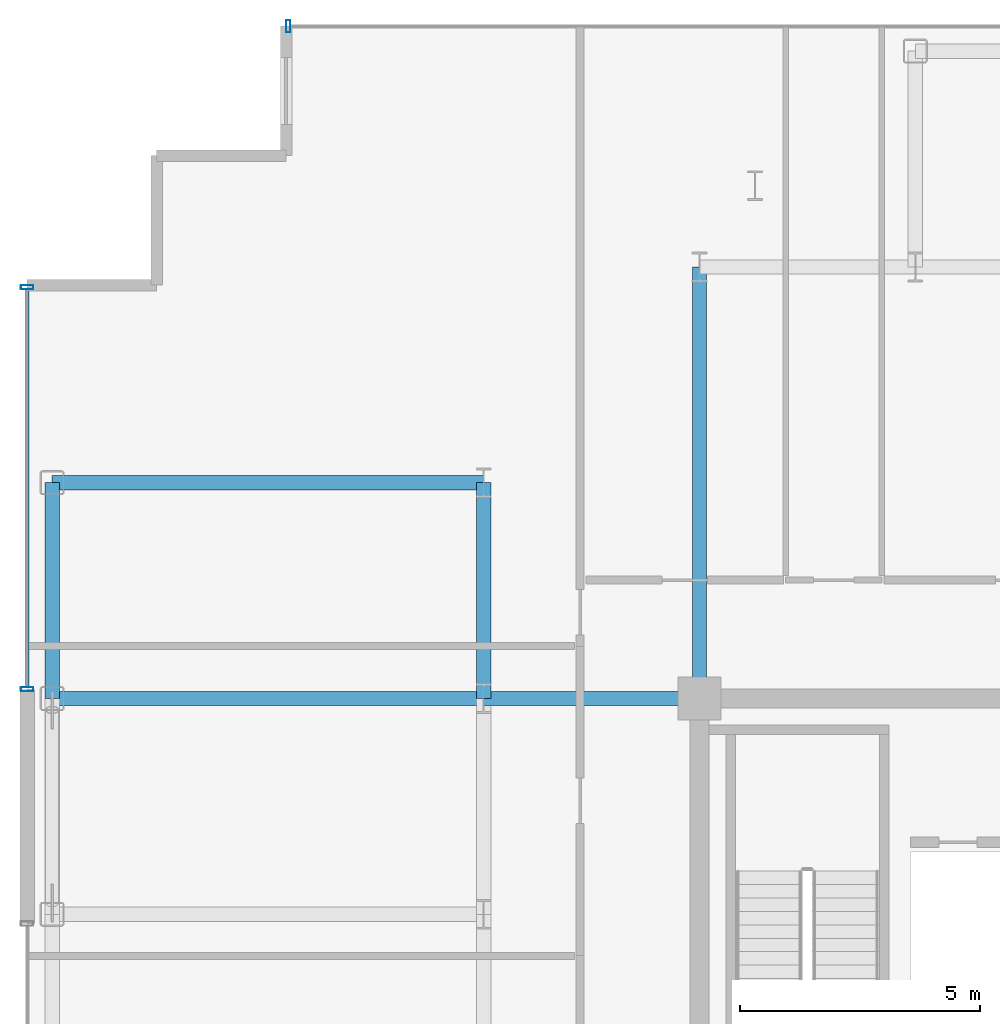
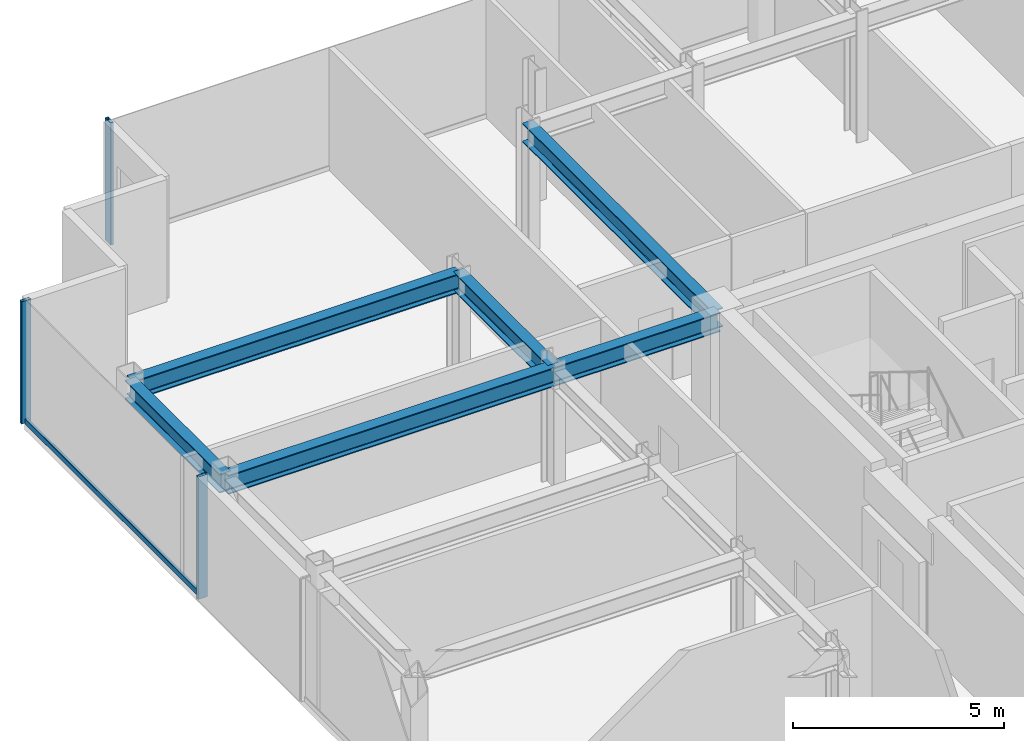
# One storey, part 7 of 16: 6 beams, 4 members, 2 elements without a shape of their own.
"""IFC4 building model written with IfcOpenShell, lengths in metres."""

from ifc_helpers import new_model, si_unit, direction, frame, origin, origin_2d, place, context, subcontext, project, spatial, hollow_rectangle, i_section, extrude, source, transform, mapped, material, layer, layer_set, material_profile, profile_set, type_object, element, aggregate, save


model = new_model("IFC4")

# Units and contexts
model_context = context("Model", 3, precision=1e-05, world=origin(), true_north=direction((0.0, 1.0)))
body_context = subcontext(model_context, "Body", "Model", "MODEL_VIEW")
ifc_project = project(units=[si_unit("LENGTHUNIT", "METRE"), si_unit("AREAUNIT", "SQUARE_METRE"), si_unit("VOLUMEUNIT", "CUBIC_METRE"), si_unit("PLANEANGLEUNIT", "RADIAN"), si_unit("MASSUNIT", "GRAM", prefix="KILO")], contexts=[model_context])

# Site, building, storey
site_placement = place(None, origin())
site = spatial("IfcSite", under=ifc_project, at=site_placement, CompositionType="ELEMENT")
building_placement = place(site_placement, origin())
building = spatial("IfcBuilding", under=site, at=building_placement, Name="Nefas-Gora Pilgrimage Tower", CompositionType="ELEMENT")
storey_placement = place(building_placement, frame((0.0, 0.0, 333.800048828125)))
storey = spatial("IfcBuildingStorey", under=building, at=storey_placement, Name="L84", CompositionType="ELEMENT", Elevation=333.800048828125)

# Beams
ifc_material_1 = material(Name="Steel S355", Category="steel")
ifc_material_profile_1 = material_profile(ifc_material_1, i_section(OverallWidth=0.300048828125, OverallDepth=0.550048828125, WebThickness=0.014892578125, FlangeThickness=0.029052734375, FilletRadius=0.027099609375, at=origin_2d()), Name="HEB 550")
ifc_profile_set_1 = profile_set([ifc_material_profile_1], Name="Steel S355")
beam_type_1 = type_object("IfcBeamType", Name="BM-SPN-HEB400", PredefinedType="SPANDREL", material=ifc_profile_set_1)
shared_shape_1 = source(origin(), body_context, "Body", "SweptSolid", [
    extrude(i_section(OverallWidth=0.300048828125, OverallDepth=0.550048828125, WebThickness=0.014892578125, FlangeThickness=0.029052734375, FilletRadius=0.027099609375, at=origin_2d()), origin(), (0.0, 0.0, 1.0), 4.5),
])
beam_placement = place(storey_placement, frame((-24.75, 9.0, 3.27490234375), z_axis=(0.0, 1.0, 0.0), x_axis=(-1.0, 0.0, 0.0)))
element("IfcBeam", 1, at=beam_placement, inside=storey, type_object=beam_type_1, Name="L84 SP-04 beam", PredefinedType="SPANDREL", context=body_context, shape_type="MappedRepresentation", body=[
    mapped(shared_shape_1, transform((0.0, 0.0, 0.0), x_axis=(1.0, 0.0, 0.0), y_axis=(0.0, 1.0, 0.0), z_axis=(0.0, 0.0, 1.0), scale=1.0)),
])
ifc_material_profile_2 = material_profile(ifc_material_1, i_section(OverallWidth=0.300048828125, OverallDepth=0.550048828125, WebThickness=0.014892578125, FlangeThickness=0.029052734375, FilletRadius=0.027099609375, at=origin_2d()), Name="HEB 550")
ifc_profile_set_2 = profile_set([ifc_material_profile_2], Name="Steel S355")
beam_type_2 = type_object("IfcBeamType", Name="BM-GIR-HEB550", PredefinedType="BEAM", material=ifc_profile_set_2)
shared_shape_2 = source(origin(), body_context, "Body", "SweptSolid", [
    extrude(i_section(OverallWidth=0.300048828125, OverallDepth=0.550048828125, WebThickness=0.014892578125, FlangeThickness=0.029052734375, FilletRadius=0.027099609375, at=origin_2d()), origin(), (0.0, 0.0, 1.0), 9.0),
])
for number, where, z_axis, x_axis, name in (
    (2, (-24.75, 9.0, 3.27490234375), (1.0, 0.0, 0.0), (0.0, 1.0, 0.0), "L84 G-05 beam"),
    (3, (-24.75, 13.5, 3.27490234375), (1.0, 0.0, 0.0), (0.0, 1.0, 0.0), "L84 G-05 beam"),
    (4, (-11.25, 9.0, 3.27490234375), (0.0, 1.0, 0.0), (-1.0, 0.0, 0.0), "L84 G-05 beam"),
):
    element("IfcBeam", number, at=place(storey_placement, frame(where, z_axis=z_axis, x_axis=x_axis)), inside=storey, type_object=beam_type_2, Name=name, PredefinedType="BEAM", context=body_context, shape_type="MappedRepresentation", body=[
        mapped(shared_shape_2, transform((0.0, 0.0, 0.0), x_axis=(1.0, 0.0, 0.0), y_axis=(0.0, 1.0, 0.0), z_axis=(0.0, 0.0, 1.0), scale=1.0)),
    ])
shared_shape_3 = source(origin(), body_context, "Body", "SweptSolid", [
    extrude(i_section(OverallWidth=0.300048828125, OverallDepth=0.550048828125, WebThickness=0.014892578125, FlangeThickness=0.029052734375, FilletRadius=0.027099609375, at=origin_2d()), origin(), (0.0, 0.0, 1.0), 4.5),
])
for number, where, z_axis, x_axis, name in (
    (5, (-15.75, 9.0, 3.27490234375), (0.0, 1.0, 0.0), (-1.0, 0.0, 0.0), "L84 G-05 beam"),
    (6, (-15.75, 9.0, 3.27490234375), (1.0, 0.0, 0.0), (0.0, 1.0, 0.0), "L84 G-05 beam"),
):
    element("IfcBeam", number, at=place(storey_placement, frame(where, z_axis=z_axis, x_axis=x_axis)), inside=storey, type_object=beam_type_2, Name=name, PredefinedType="BEAM", context=body_context, shape_type="MappedRepresentation", body=[
        mapped(shared_shape_3, transform((0.0, 0.0, 0.0), x_axis=(1.0, 0.0, 0.0), y_axis=(0.0, 1.0, 0.0), z_axis=(0.0, 0.0, 1.0), scale=1.0)),
    ])

# Curtain wall, member
ifc_material_2 = material(Name="Dark ceramic-fritted solar-control aluminium-glass curtain wall", Category="aluminium")
ifc_layer = layer(ifc_material_2, 0.219970703125)
ifc_layer_set = layer_set([ifc_layer], Name="Dark ceramic-fritted solar-control aluminium-glass curtain wall")
curtain_wall_type = type_object("IfcCurtainWallType", Name="CW-SYS-4", PredefinedType="NOTDEFINED", material=ifc_layer_set)
curtain_wall_1_placement = place(storey_placement, origin())
curtain_wall_1 = element("IfcCurtainWall", 7, at=curtain_wall_1_placement, inside=storey, type_object=curtain_wall_type, Name="L84 Unitised Curtain Wall CW4", PredefinedType="NOTDEFINED")
ifc_material_3 = material(Name="Anodised architectural aluminium", Category="aluminium")
ifc_material_profile_3 = material_profile(ifc_material_3, hollow_rectangle(XDim=0.080078125, YDim=0.159912109375, WallThickness=0.00439453125, InnerFilletRadius=0.00439453125, OuterFilletRadius=0.009033203125, at=origin_2d()), Name="ALU TRANSOM 80x160")
ifc_profile_set_3 = profile_set([ifc_material_profile_3], Name="Anodised architectural aluminium")
member_type_1 = type_object("IfcMemberType", Name="CWM-TRN-4", PredefinedType="USERDEFINED", material=ifc_profile_set_3)
shared_shape_4 = source(origin(), body_context, "Body", "SweptSolid", [
    extrude(hollow_rectangle(XDim=0.080078125, YDim=0.159912109375, WallThickness=0.00439453125, InnerFilletRadius=0.00439453125, OuterFilletRadius=0.009033203125, at=origin_2d()), origin(), (0.0, 0.0, 1.0), 8.2900390625),
])
member_1_placement = place(storey_placement, frame((-25.27001953125, 17.530029296875, 0.050048828125), z_axis=(0.0, -1.0, 0.0), x_axis=(1.0, 0.0, 0.0)))
member_1 = element("IfcMember", 8, at=member_1_placement, type_object=member_type_1, Name="CW4 Spandrel Transom", ObjectType="TRANSOM", PredefinedType="USERDEFINED", context=body_context, shape_type="MappedRepresentation", body=[
    mapped(shared_shape_4, transform((0.0, 0.0, 0.0), x_axis=(1.0, 0.0, 0.0), y_axis=(0.0, 1.0, 0.0), z_axis=(0.0, 0.0, 1.0), scale=1.0)),
])

curtain_wall_2_placement = place(storey_placement, origin())
curtain_wall_2 = element("IfcCurtainWall", 9, at=curtain_wall_2_placement, inside=storey, type_object=curtain_wall_type, Name="L84 Unitised Curtain Wall CW4", PredefinedType="NOTDEFINED")
ifc_material_profile_4 = material_profile(ifc_material_3, hollow_rectangle(XDim=0.090087890625, YDim=0.260009765625, WallThickness=0.006103515625, InnerFilletRadius=0.006103515625, OuterFilletRadius=0.011962890625, at=origin_2d()), Name="ALU MULLION 90x260")
ifc_profile_set_4 = profile_set([ifc_material_profile_4], Name="Anodised architectural aluminium")
member_type_2 = type_object("IfcMemberType", Name="CWM-MUL-4", PredefinedType="MULLION", material=ifc_profile_set_4)
shared_shape_5 = source(origin(), body_context, "Body", "SweptSolid", [
    extrude(hollow_rectangle(XDim=0.090087890625, YDim=0.260009765625, WallThickness=0.006103515625, InnerFilletRadius=0.006103515625, OuterFilletRadius=0.011962890625, at=origin_2d()), origin(), (0.0, 0.0, 1.0), 3.550048828125),
])
member_2_placement = place(storey_placement, frame((-19.824951171875, 23.02001953125, 0.0), z_axis=(0.0, 0.0, 1.0), x_axis=(-1.0, 0.0, 0.0)))
member_2 = element("IfcMember", 10, at=member_2_placement, type_object=member_type_2, Name="CW4 Mullion 2", PredefinedType="MULLION", context=body_context, shape_type="MappedRepresentation", body=[
    mapped(shared_shape_5, transform((0.0, 0.0, 0.0), x_axis=(1.0, 0.0, 0.0), y_axis=(0.0, 1.0, 0.0), z_axis=(0.0, 0.0, 1.0), scale=1.0)),
])
aggregate(curtain_wall_2, [member_2])

# Member
member_3_placement = place(storey_placement, frame((-25.27001953125, 17.574951171875, 0.0), z_axis=(0.0, 0.0, 1.0), x_axis=(0.0, -1.0, 0.0)))
member_3 = element("IfcMember", 11, at=member_3_placement, type_object=member_type_2, Name="CW4 Mullion 1", PredefinedType="MULLION", context=body_context, shape_type="MappedRepresentation", body=[
    mapped(shared_shape_5, transform((0.0, 0.0, 0.0), x_axis=(1.0, 0.0, 0.0), y_axis=(0.0, 1.0, 0.0), z_axis=(0.0, 0.0, 1.0), scale=1.0)),
])

member_4_placement = place(storey_placement, frame((-25.27001953125, 9.195068359375, 0.0), z_axis=(0.0, 0.0, 1.0), x_axis=(0.0, -1.0, 0.0)))
member_4 = element("IfcMember", 12, at=member_4_placement, type_object=member_type_2, Name="CW4 Mullion 2", PredefinedType="MULLION", context=body_context, shape_type="MappedRepresentation", body=[
    mapped(shared_shape_5, transform((0.0, 0.0, 0.0), x_axis=(1.0, 0.0, 0.0), y_axis=(0.0, 1.0, 0.0), z_axis=(0.0, 0.0, 1.0), scale=1.0)),
])

aggregate(curtain_wall_1, [member_3, member_4, member_1])

save(model, "model.ifc")
